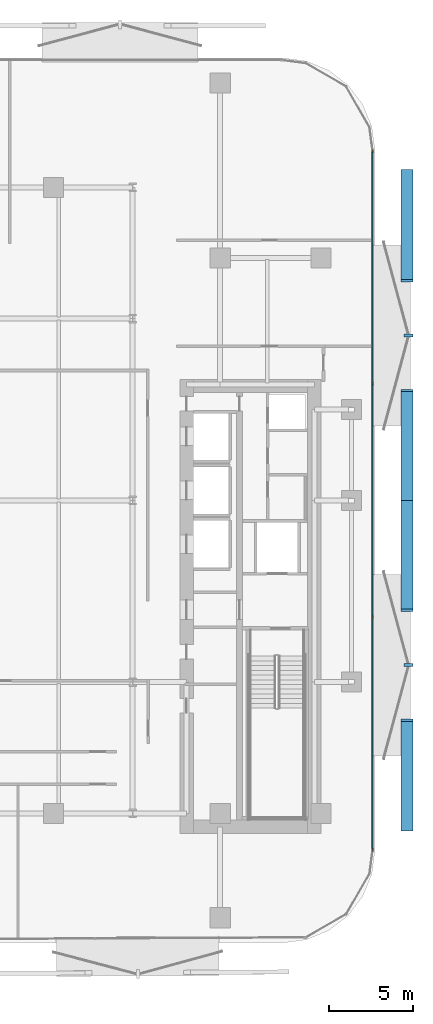
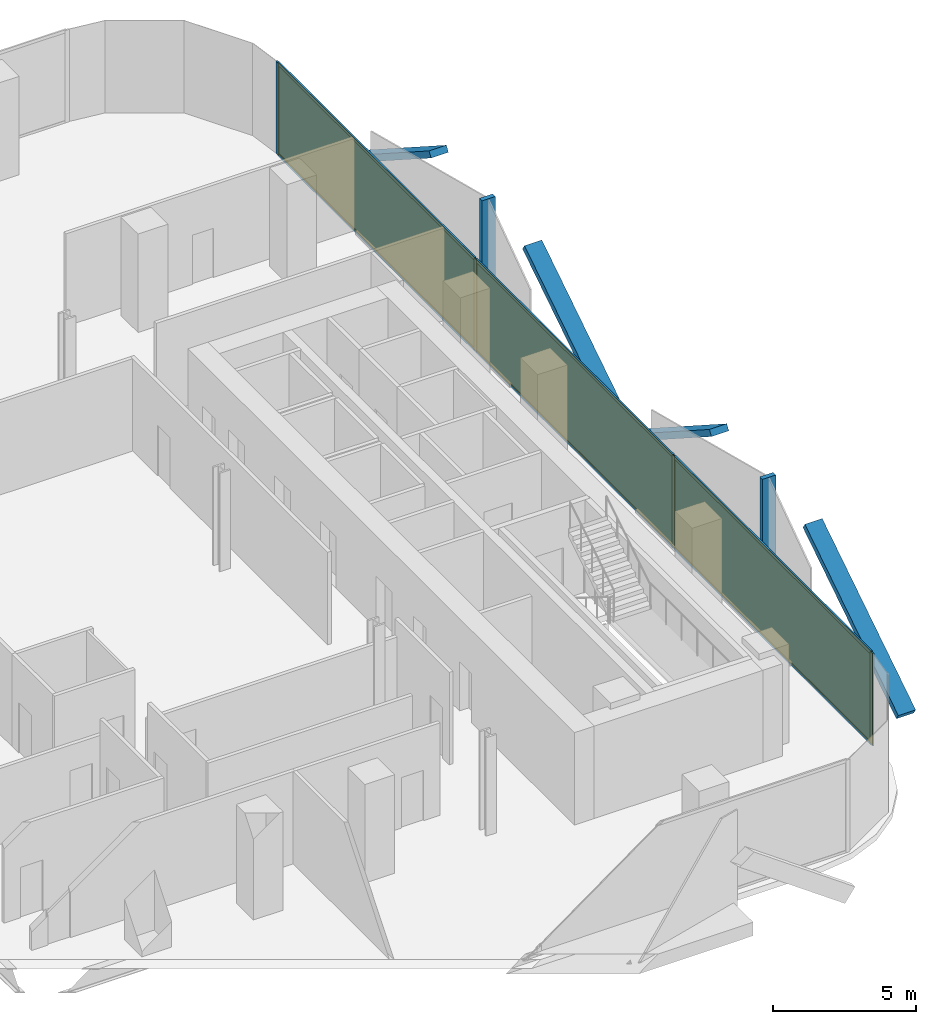
# One storey, part 9 of 15: 16 members, 3 plates, 1 curtain wall.
"""IFC4 building model written with IfcOpenShell, lengths in metres."""

from ifc_helpers import new_model, si_unit, direction, frame, frame_2d, origin, origin_2d, place, context, subcontext, project, spatial, rectangle, extrude, material, layer, layer_set, material_profile, profile_set, type_object, element, aggregate, save


model = new_model("IFC4")

# Units and contexts
model_context = context("Model", 3, precision=1e-05, world=origin(), true_north=direction((0.0, 1.0)))
body_context = subcontext(model_context, "Body", "Model", "MODEL_VIEW")
ifc_project = project(units=[si_unit("LENGTHUNIT", "METRE"), si_unit("AREAUNIT", "SQUARE_METRE"), si_unit("VOLUMEUNIT", "CUBIC_METRE"), si_unit("PLANEANGLEUNIT", "RADIAN"), si_unit("MASSUNIT", "GRAM", prefix="KILO")], contexts=[model_context])

# Member
ifc_material_1 = material(Name="Anodised Bronze Aluminium 6063-T6", Category="aluminium")
ifc_material_profile_1 = material_profile(ifc_material_1, rectangle(XDim=0.260009765625, YDim=0.699951171875, at=origin_2d()))
ifc_profile_set_1 = profile_set([ifc_material_profile_1], Name="Anodised Bronze Aluminium 6063-T6")
member_type_1 = type_object("IfcMemberType", Name="Bronze Diamond Solar-Screen Lattice Rib BDL-700", PredefinedType="MULLION", material=ifc_profile_set_1)
site_placement = place(None, origin())
building_placement = place(site_placement, origin())
storey_placement = place(building_placement, frame((0.0, 0.0, 105.800048828125)))
member_1_placement = place(storey_placement, frame((25.5, 19.5908203125, -0.130126953125), z_axis=(0.0, -0.841051770023, 0.540954637785), x_axis=(0.0, -0.540954637785, -0.841051770023)))
member_1 = element("IfcMember", 1, at=member_1_placement, type_object=member_type_1, Name="L24 Bronze Diamond Solar Screen Lattice Rib 143A", PredefinedType="MULLION", context=body_context, shape_type="SweptSolid", body=[
    extrude(rectangle(XDim=0.260009765625, YDim=0.699951171875, at=origin_2d()), origin(), (0.0, 0.0, 1.0), 7.764404296875),
])

member_2_placement = place(storey_placement, frame((25.5, 0.0, -0.130126953125), z_axis=(0.0, 0.841051770023, 0.540954637785), x_axis=(0.0, 0.540954637785, -0.841051770023)))
member_2 = element("IfcMember", 2, at=member_2_placement, type_object=member_type_1, Name="L24 Bronze Diamond Solar Screen Lattice Rib 143B", PredefinedType="MULLION", context=body_context, shape_type="SweptSolid", body=[
    extrude(rectangle(XDim=0.260009765625, YDim=0.699951171875, at=origin_2d()), origin(), (0.0, 0.0, 1.0), 7.764404296875),
])

member_3_placement = place(storey_placement, frame((25.5, 0.0, -0.130126953125), z_axis=(0.0, -0.841051770023, 0.540954637785), x_axis=(0.0, -0.540954637785, -0.841051770023)))
member_3 = element("IfcMember", 3, at=member_3_placement, type_object=member_type_1, Name="L24 Bronze Diamond Solar Screen Lattice Rib 144A", PredefinedType="MULLION", context=body_context, shape_type="SweptSolid", body=[
    extrude(rectangle(XDim=0.260009765625, YDim=0.699951171875, at=origin_2d()), origin(), (0.0, 0.0, 1.0), 7.764404296875),
])

member_4_placement = place(storey_placement, frame((25.5, -19.5908203125, -0.130126953125), z_axis=(0.0, 0.841051770023, 0.540954637785), x_axis=(0.0, 0.540954637785, -0.841051770023)))
member_4 = element("IfcMember", 4, at=member_4_placement, type_object=member_type_1, Name="L24 Bronze Diamond Solar Screen Lattice Rib 144B", PredefinedType="MULLION", context=body_context, shape_type="SweptSolid", body=[
    extrude(rectangle(XDim=0.260009765625, YDim=0.699951171875, at=origin_2d()), origin(), (0.0, 0.0, 1.0), 7.764404296875),
])

ifc_material_2 = material(Name="Anodised Bronze Aluminium 6063-T6", Category="aluminium")
ifc_material_profile_2 = material_profile(ifc_material_2, rectangle(XDim=0.179931640625, YDim=0.5400390625, at=origin_2d()))
ifc_profile_set_2 = profile_set([ifc_material_profile_2], Name="Anodised Bronze Aluminium 6063-T6")
member_type_2 = type_object("IfcMemberType", Name="Bronze Solar-Screen Vertical Fold Fin BSF-540", PredefinedType="MULLION", material=ifc_profile_set_2)
member_5_placement = place(storey_placement, frame((25.580078125, 9.79541015625, -0.130126953125), z_axis=(0.0, 0.0, 1.0), x_axis=(0.0, -1.0, 0.0)))
member_5 = element("IfcMember", 5, at=member_5_placement, type_object=member_type_2, Name="L24 Bronze Solar Screen Vertical Fin 143", PredefinedType="MULLION", context=body_context, shape_type="SweptSolid", body=[
    extrude(rectangle(XDim=0.179931640625, YDim=0.5400390625, at=origin_2d()), origin(), (0.0, 0.0, 1.0), 4.2001953125),
])

member_6_placement = place(storey_placement, frame((25.580078125, -9.79541015625, -0.130126953125), z_axis=(0.0, 0.0, 1.0), x_axis=(0.0, -1.0, 0.0)))
member_6 = element("IfcMember", 6, at=member_6_placement, type_object=member_type_2, Name="L24 Bronze Solar Screen Vertical Fin 144", PredefinedType="MULLION", context=body_context, shape_type="SweptSolid", body=[
    extrude(rectangle(XDim=0.179931640625, YDim=0.5400390625, at=origin_2d()), origin(), (0.0, 0.0, 1.0), 4.2001953125),
])

ifc_material_3 = material(Name="Anodised Bronze Aluminium 6063-T6", Category="aluminium")
ifc_material_profile_3 = material_profile(ifc_material_3, rectangle(XDim=0.06494140625, YDim=0.175048828125, at=origin_2d()))
ifc_profile_set_3 = profile_set([ifc_material_profile_3], Name="Anodised Bronze Aluminium 6063-T6")
member_type_3 = type_object("IfcMemberType", Name="CW-Z2 Mullion 65x175", PredefinedType="MULLION", material=ifc_profile_set_3)
member_7_placement = place(storey_placement, frame((23.4599609375, 20.75830078125, 0.0), z_axis=(0.0, 0.0, 1.0), x_axis=(1.0, 0.0, 0.0)))
member_7 = element("IfcMember", 7, at=member_7_placement, type_object=member_type_3, Name="CW-Z2 mullion 1", PredefinedType="MULLION", context=body_context, shape_type="SweptSolid", body=[
    extrude(rectangle(XDim=0.06494140625, YDim=0.175048828125, at=origin_2d()), origin(), (0.0, 0.0, 1.0), 3.93994140625),
])

member_8_placement = place(storey_placement, frame((23.4599609375, 6.93017578125, 0.0), z_axis=(0.0, 0.0, 1.0), x_axis=(1.0, 0.0, 0.0)))
member_8 = element("IfcMember", 8, at=member_8_placement, type_object=member_type_3, Name="CW-Z2 mullion 2", PredefinedType="MULLION", context=body_context, shape_type="SweptSolid", body=[
    extrude(rectangle(XDim=0.06494140625, YDim=0.175048828125, at=origin_2d()), origin(), (0.0, 0.0, 1.0), 3.93994140625),
])

member_9_placement = place(storey_placement, frame((23.4599609375, -6.93017578125, 0.0), z_axis=(0.0, 0.0, 1.0), x_axis=(1.0, 0.0, 0.0)))
member_9 = element("IfcMember", 9, at=member_9_placement, type_object=member_type_3, Name="CW-Z2 mullion 3", PredefinedType="MULLION", context=body_context, shape_type="SweptSolid", body=[
    extrude(rectangle(XDim=0.06494140625, YDim=0.175048828125, at=origin_2d()), origin(), (0.0, 0.0, 1.0), 3.93994140625),
])

member_10_placement = place(storey_placement, frame((23.4599609375, -20.75830078125, 0.0), z_axis=(0.0, 0.0, 1.0), x_axis=(1.0, 0.0, 0.0)))
member_10 = element("IfcMember", 10, at=member_10_placement, type_object=member_type_3, Name="CW-Z2 mullion 4", PredefinedType="MULLION", context=body_context, shape_type="SweptSolid", body=[
    extrude(rectangle(XDim=0.06494140625, YDim=0.175048828125, at=origin_2d()), origin(), (0.0, 0.0, 1.0), 3.93994140625),
])

ifc_material_4 = material(Name="Anodised Bronze Aluminium 6063-T6", Category="aluminium")
ifc_material_profile_4 = material_profile(ifc_material_4, rectangle(XDim=0.06494140625, YDim=0.135009765625, at=origin_2d()))
ifc_profile_set_4 = profile_set([ifc_material_profile_4], Name="Anodised Bronze Aluminium 6063-T6")
member_type_4 = type_object("IfcMemberType", Name="CW-Z2 Transom 65x135", PredefinedType="USERDEFINED", material=ifc_profile_set_4)
member_11_placement = place(storey_placement, frame((23.4599609375, 20.725830078125, 0.032470703125), z_axis=(0.0, -1.0, 0.0), x_axis=(1.0, 0.0, 0.0)))
member_11 = element("IfcMember", 11, at=member_11_placement, type_object=member_type_4, Name="CW-Z2 transom 1.1", ObjectType="TRANSOM", PredefinedType="USERDEFINED", context=body_context, shape_type="SweptSolid", body=[
    extrude(rectangle(XDim=0.06494140625, YDim=0.135009765625, at=origin_2d()), origin(), (0.0, 0.0, 1.0), 13.76318359375),
])

member_12_placement = place(storey_placement, frame((23.4599609375, 20.725830078125, 3.907470703125), z_axis=(0.0, -1.0, 0.0), x_axis=(1.0, 0.0, 0.0)))
member_12 = element("IfcMember", 12, at=member_12_placement, type_object=member_type_4, Name="CW-Z2 transom 1.2", ObjectType="TRANSOM", PredefinedType="USERDEFINED", context=body_context, shape_type="SweptSolid", body=[
    extrude(rectangle(XDim=0.06494140625, YDim=0.135009765625, at=origin_2d()), origin(), (0.0, 0.0, 1.0), 13.76318359375),
])

member_13_placement = place(storey_placement, frame((23.4599609375, 6.897705078125, 0.032470703125), z_axis=(0.0, -1.0, 0.0), x_axis=(1.0, 0.0, 0.0)))
member_13 = element("IfcMember", 13, at=member_13_placement, type_object=member_type_4, Name="CW-Z2 transom 2.1", ObjectType="TRANSOM", PredefinedType="USERDEFINED", context=body_context, shape_type="SweptSolid", body=[
    extrude(rectangle(XDim=0.06494140625, YDim=0.135009765625, at=origin_2d()), origin(), (0.0, 0.0, 1.0), 13.79541015625),
])

member_14_placement = place(storey_placement, frame((23.4599609375, 6.897705078125, 3.907470703125), z_axis=(0.0, -1.0, 0.0), x_axis=(1.0, 0.0, 0.0)))
member_14 = element("IfcMember", 14, at=member_14_placement, type_object=member_type_4, Name="CW-Z2 transom 2.2", ObjectType="TRANSOM", PredefinedType="USERDEFINED", context=body_context, shape_type="SweptSolid", body=[
    extrude(rectangle(XDim=0.06494140625, YDim=0.135009765625, at=origin_2d()), origin(), (0.0, 0.0, 1.0), 13.79541015625),
])

member_15_placement = place(storey_placement, frame((23.4599609375, -6.962646484375, 0.032470703125), z_axis=(0.0, -1.0, 0.0), x_axis=(1.0, 0.0, 0.0)))
member_15 = element("IfcMember", 15, at=member_15_placement, type_object=member_type_4, Name="CW-Z2 transom 3.1", ObjectType="TRANSOM", PredefinedType="USERDEFINED", context=body_context, shape_type="SweptSolid", body=[
    extrude(rectangle(XDim=0.06494140625, YDim=0.135009765625, at=origin_2d()), origin(), (0.0, 0.0, 1.0), 13.76318359375),
])

member_16_placement = place(storey_placement, frame((23.4599609375, -6.962646484375, 3.907470703125), z_axis=(0.0, -1.0, 0.0), x_axis=(1.0, 0.0, 0.0)))
member_16 = element("IfcMember", 16, at=member_16_placement, type_object=member_type_4, Name="CW-Z2 transom 3.2", ObjectType="TRANSOM", PredefinedType="USERDEFINED", context=body_context, shape_type="SweptSolid", body=[
    extrude(rectangle(XDim=0.06494140625, YDim=0.135009765625, at=origin_2d()), origin(), (0.0, 0.0, 1.0), 13.76318359375),
])

# Plate
ifc_material_5 = material(Name="Low-E Solar Control Laminated Glass", Category="glass")
ifc_layer_1 = layer(ifc_material_5, 0.028076171875, Name="Low-E Solar Control Laminated Glass")
ifc_layer_set_1 = layer_set([ifc_layer_1], Name="Low-E Solar Control Laminated Glass")
plate_type = type_object("IfcPlateType", Name="CW-Z2 Low-E Double Glazed Panel 28mm", PredefinedType="CURTAIN_PANEL", material=ifc_layer_set_1)
plate_1_placement = place(storey_placement, frame((23.4599609375, 13.84423828125, 0.06494140625), z_axis=(0.0, 0.0, 1.0), x_axis=(0.0, -1.0, 0.0)))
plate_1 = element("IfcPlate", 17, at=plate_1_placement, type_object=plate_type, Name="CW-Z2 panel 1.1", PredefinedType="CURTAIN_PANEL", context=body_context, shape_type="SweptSolid", body=[
    extrude(rectangle(XDim=13.762939453125, YDim=0.028076171875, at=origin_2d()), origin(), (0.0, 0.0, 1.0), 3.81005859375),
])

plate_2_placement = place(storey_placement, frame((23.4599609375, 0.0, 0.06494140625), z_axis=(0.0, 0.0, 1.0), x_axis=(0.0, -1.0, 0.0)))
plate_2 = element("IfcPlate", 18, at=plate_2_placement, type_object=plate_type, Name="CW-Z2 panel 2.1", PredefinedType="CURTAIN_PANEL", context=body_context, shape_type="SweptSolid", body=[
    extrude(rectangle(XDim=13.795654296875, YDim=0.028076171875, at=origin_2d()), origin(), (0.0, 0.0, 1.0), 3.81005859375),
])

plate_3_placement = place(storey_placement, frame((23.4599609375, -13.84423828125, 0.06494140625), z_axis=(0.0, 0.0, 1.0), x_axis=(0.0, -1.0, 0.0)))
plate_3 = element("IfcPlate", 19, at=plate_3_placement, type_object=plate_type, Name="CW-Z2 panel 3.1", PredefinedType="CURTAIN_PANEL", context=body_context, shape_type="SweptSolid", body=[
    extrude(rectangle(XDim=13.762939453125, YDim=0.028076171875, at=origin_2d()), origin(), (0.0, 0.0, 1.0), 3.81005859375),
])

# Site, building, storey
site = spatial("IfcSite", under=ifc_project, at=site_placement, CompositionType="ELEMENT")
building = spatial("IfcBuilding", under=site, at=building_placement, Name="Khairoan Windgate Tower", CompositionType="ELEMENT")
storey = spatial("IfcBuildingStorey", under=building, at=storey_placement, Name="L24", CompositionType="ELEMENT", Elevation=105.800048828125)

# Curtain wall
ifc_material_6 = material(Name="Anodised Bronze Aluminium 6063-T6", Category="aluminium")
ifc_layer_2 = layer(ifc_material_6, 0.175048828125, Name="Anodised Bronze Aluminium 6063-T6")
ifc_layer_set_2 = layer_set([ifc_layer_2], Name="Anodised Bronze Aluminium 6063-T6")
curtain_wall_type = type_object("IfcCurtainWallType", Name="Mid-Rise Office Unitised Curtain Wall CW-Z2", PredefinedType="NOTDEFINED", material=ifc_layer_set_2)
curtain_wall_placement = place(storey_placement, frame((23.4599609375, 20.790771484375, 0.0), z_axis=(0.0, 0.0, 1.0), x_axis=(0.0, -1.0, 0.0)))
curtain_wall = element("IfcCurtainWall", 20, at=curtain_wall_placement, inside=storey, type_object=curtain_wall_type, Name="L24 Unitised Curtain Wall 16", PredefinedType="NOTDEFINED", context=body_context, shape_type="SweptSolid", body=[
    extrude(rectangle(XDim=41.58154296875, YDim=0.010009765625, at=frame_2d((20.790771484375, 0.0))), origin(), (0.0, 0.0, 1.0), 3.93994140625),
])

aggregate(curtain_wall, [member_7, member_8, member_9, member_10, member_11, member_12, plate_1, member_13, member_14, plate_2, member_15, member_16, plate_3, member_1, member_2, member_5, member_3, member_4, member_6])

save(model, "model.ifc")
